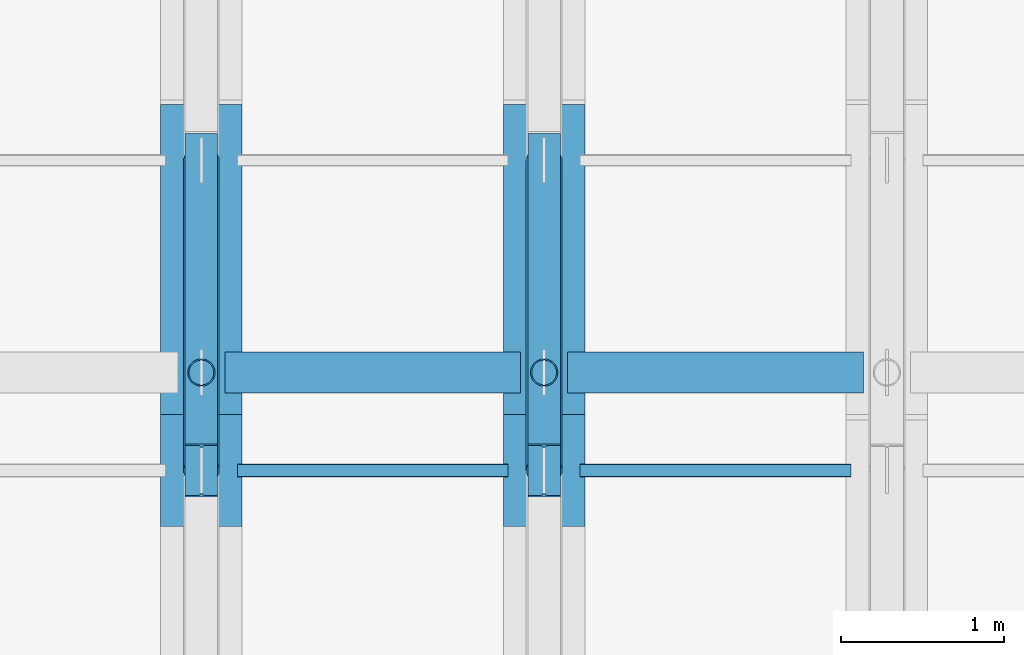
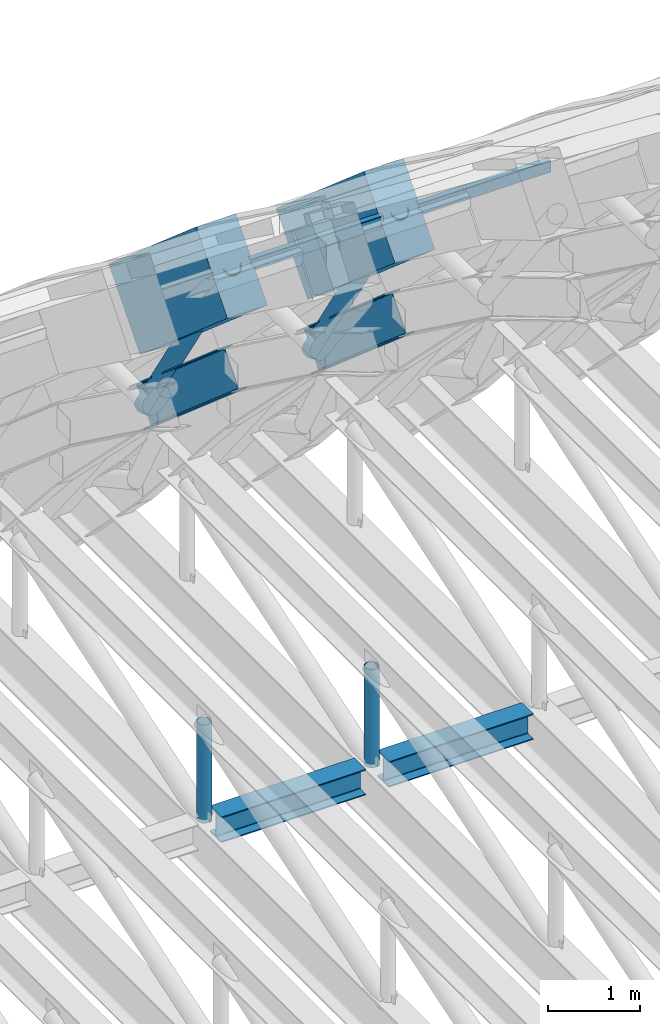
# One storey, part 31 of 67: 6 beams, 6 members.
"""IFC4 building model written with IfcOpenShell, lengths in metres."""

from ifc_helpers import new_model, si_unit, direction, frame, origin, origin_2d, place, context, subcontext, project, spatial, rectangle, hollow_rectangle, hollow_circle, i_section, extrude, material, material_profile, profile_set, type_object, element, save


model = new_model("IFC4")

# Units and contexts
model_context = context("Model", 3, precision=1e-05, world=origin(), true_north=direction((0.0, 1.0)))
body_context = subcontext(model_context, "Body", "Model", "MODEL_VIEW")
ifc_project = project(units=[si_unit("LENGTHUNIT", "METRE"), si_unit("AREAUNIT", "SQUARE_METRE"), si_unit("VOLUMEUNIT", "CUBIC_METRE"), si_unit("PLANEANGLEUNIT", "RADIAN"), si_unit("MASSUNIT", "GRAM", prefix="KILO")], contexts=[model_context])

# Site, building, storey
site_placement = place(None, origin())
site = spatial("IfcSite", under=ifc_project, at=site_placement, CompositionType="ELEMENT")
building_placement = place(site_placement, origin())
building = spatial("IfcBuilding", under=site, at=building_placement, Name="Shengluoqiao Park Theatre", CompositionType="ELEMENT")
storey_placement = place(building_placement, frame((0.0, 0.0, 28.60009765625)))
storey = spatial("IfcBuildingStorey", under=building, at=storey_placement, Name="Roof", CompositionType="ELEMENT", Elevation=28.60009765625)

# Beams
ifc_material_1 = material(Name="Concrete C50", Category="concrete")
ifc_material_profile_1 = material_profile(ifc_material_1, rectangle(XDim=0.5, YDim=1.050048828125, at=origin_2d()), Name="RC ARCH 500x1050")
ifc_profile_set_1 = profile_set([ifc_material_profile_1], Name="Concrete C50")
beam_type_1 = type_object("IfcBeamType", Name="STR-BM-AR-5010", PredefinedType="BEAM", material=ifc_profile_set_1)
for number, where, z_axis, x_axis, name in (
    (1, (73.800048828125, 106.39990234375, -1.9560546875), (0.0, 0.757433195517, -0.652912669757), (-1.0, 0.0, 0.0), "Barrel-Shell Arch Rib R15-S17"),
    (2, (75.89990234375, 106.39990234375, -1.9560546875), (0.0, 0.757433195517, -0.652912669757), (-1.0, 0.0, 0.0), "Barrel-Shell Arch Rib R16-S17"),
):
    element("IfcBeam", number, at=place(storey_placement, frame(where, z_axis=z_axis, x_axis=x_axis)), inside=storey, type_object=beam_type_1, Name=name, PredefinedType="BEAM", context=body_context, shape_type="SweptSolid", body=[
        extrude(rectangle(XDim=0.5, YDim=1.050048828125, at=origin_2d()), origin(), (0.0, 0.0, 1.0), 2.508544921875),
    ])
ifc_material_2 = material(Name="Steel Q355", Category="steel")
ifc_material_profile_2 = material_profile(ifc_material_2, i_section(OverallWidth=0.25, OverallDepth=0.340087890625, WebThickness=0.009033203125, FlangeThickness=0.013916015625, FilletRadius=0.01611328125, at=origin_2d()), Name="HM 340x250x9x14")
ifc_profile_set_2 = profile_set([ifc_material_profile_2], Name="Steel Q355")
beam_type_2 = type_object("IfcBeamType", Name="STR-BM-G-HM340", PredefinedType="BEAM", material=ifc_profile_set_2)
for number, where, z_axis, x_axis, name in (
    (3, (73.944091796875, 107.0, -9.77001953125), (1.0, 0.0, 0.0), (0.0, 1.0, 0.0), "Auditorium Overhead Catwalk Girder R15-5"),
    (4, (76.0439453125, 107.0, -9.77001953125), (1.0, 0.0, 0.0), (0.0, 1.0, 0.0), "Auditorium Overhead Catwalk Girder R16-5"),
):
    element("IfcBeam", number, at=place(storey_placement, frame(where, z_axis=z_axis, x_axis=x_axis)), inside=storey, type_object=beam_type_2, Name=name, PredefinedType="BEAM", context=body_context, shape_type="SweptSolid", body=[
        extrude(i_section(OverallWidth=0.25, OverallDepth=0.340087890625, WebThickness=0.009033203125, FlangeThickness=0.013916015625, FilletRadius=0.01611328125, at=origin_2d()), origin(), (0.0, 0.0, 1.0), 1.81201171875),
    ])
ifc_material_profile_3 = material_profile(ifc_material_2, i_section(OverallWidth=0.199951171875, OverallDepth=0.5, WebThickness=0.010009765625, FlangeThickness=0.01611328125, FilletRadius=0.01806640625, at=origin_2d()), Name="HN 500x200x10x16")
ifc_profile_set_3 = profile_set([ifc_material_profile_3], Name="Steel Q355")
beam_type_3 = type_object("IfcBeamType", Name="STR-BM-J-HN500", PredefinedType="JOIST", material=ifc_profile_set_3)
for number, where, z_axis, x_axis, name in (
    (5, (73.800048828125, 106.39990234375, -3.316162109375), (0.0, 0.757433195517, -0.652912669757), (-1.0, 0.0, 0.0), "Barrel-Shell Lower Arch Chord R15-S17"),
    (6, (75.89990234375, 106.39990234375, -3.316162109375), (0.0, 0.757433195517, -0.652912669757), (-1.0, 0.0, 0.0), "Barrel-Shell Lower Arch Chord R16-S17"),
):
    element("IfcBeam", number, at=place(storey_placement, frame(where, z_axis=z_axis, x_axis=x_axis)), inside=storey, type_object=beam_type_3, Name=name, PredefinedType="JOIST", context=body_context, shape_type="SweptSolid", body=[
        extrude(i_section(OverallWidth=0.199951171875, OverallDepth=0.5, WebThickness=0.010009765625, FlangeThickness=0.01611328125, FilletRadius=0.01806640625, at=origin_2d()), origin(), (0.0, 0.0, 1.0), 2.508544921875),
    ])

# Members
ifc_material_profile_4 = material_profile(ifc_material_2, hollow_circle(Radius=0.109619140625, WallThickness=0.010009765625, at=origin_2d()), Name="CHS 219x10")
ifc_profile_set_4 = profile_set([ifc_material_profile_4], Name="Steel Q355")
member_type_1 = type_object("IfcMemberType", Name="STR-MEM-BRC-219", PredefinedType="BRACE", material=ifc_profile_set_4)
for number, where, z_axis, x_axis, name in (
    (7, (73.800048828125, 106.39990234375, -1.9560546875), (0.0, 0.535330234694, -0.844642847494), (-1.0, 0.0, 0.0), "Barrel-Shell Arch Truss Web 0297"),
    (8, (75.89990234375, 106.39990234375, -1.9560546875), (0.0, 0.535330234694, -0.844642847494), (-1.0, 0.0, 0.0), "Barrel-Shell Arch Truss Web 0317"),
):
    element("IfcMember", number, at=place(storey_placement, frame(where, z_axis=z_axis, x_axis=x_axis)), inside=storey, type_object=member_type_1, Name=name, PredefinedType="BRACE", context=body_context, shape_type="SweptSolid", body=[
        extrude(hollow_circle(Radius=0.109619140625, WallThickness=0.010009765625, at=origin_2d()), origin(), (0.0, 0.0, 1.0), 3.549560546875),
    ])
ifc_material_profile_5 = material_profile(ifc_material_2, hollow_rectangle(XDim=0.080078125, YDim=0.159912109375, WallThickness=0.006103515625, InnerFilletRadius=0.006103515625, OuterFilletRadius=0.011962890625, at=origin_2d()), Name="RHS 160x80x6")
ifc_profile_set_5 = profile_set([ifc_material_profile_5], Name="Steel Q355")
member_type_2 = type_object("IfcMemberType", Name="STR-MEM-PU-R160", PredefinedType="PURLIN", material=ifc_profile_set_5)
for number, where, z_axis, x_axis, name in (
    (9, (74.02001953125, 106.39990234375, -2.006103515625), (1.0, 0.0, 0.0), (0.0, 1.0, 0.0), "Shell Longitudinal Purlin 0282"),
    (10, (76.1201171875, 106.39990234375, -2.006103515625), (1.0, 0.0, 0.0), (0.0, 1.0, 0.0), "Shell Longitudinal Purlin 0301"),
):
    element("IfcMember", number, at=place(storey_placement, frame(where, z_axis=z_axis, x_axis=x_axis)), inside=storey, type_object=member_type_2, Name=name, PredefinedType="PURLIN", context=body_context, shape_type="SweptSolid", body=[
        extrude(hollow_rectangle(XDim=0.080078125, YDim=0.159912109375, WallThickness=0.006103515625, InnerFilletRadius=0.006103515625, OuterFilletRadius=0.011962890625, at=origin_2d()), origin(), (0.0, 0.0, 1.0), 1.659912109375),
    ])
ifc_material_profile_6 = material_profile(ifc_material_2, hollow_circle(Radius=0.083984375, WallThickness=0.008056640625, at=origin_2d()), Name="CHS 168x8")
ifc_profile_set_6 = profile_set([ifc_material_profile_6], Name="Steel Q355")
member_type_3 = type_object("IfcMemberType", Name="STR-MEM-STC-168", PredefinedType="STRUT", material=ifc_profile_set_6)
for number, where, z_axis, x_axis, name in (
    (11, (73.800048828125, 107.0, -9.650146484375), (0.0, 0.0, 1.0), (1.0, 0.0, 0.0), "Acoustic Tie Truss Strut 0093"),
    (12, (75.89990234375, 107.0, -9.650146484375), (0.0, 0.0, 1.0), (1.0, 0.0, 0.0), "Acoustic Tie Truss Strut 0110"),
):
    element("IfcMember", number, at=place(storey_placement, frame(where, z_axis=z_axis, x_axis=x_axis)), inside=storey, type_object=member_type_3, Name=name, PredefinedType="STRUT", context=body_context, shape_type="SweptSolid", body=[
        extrude(hollow_circle(Radius=0.083984375, WallThickness=0.008056640625, at=origin_2d()), origin(), (0.0, 0.0, 1.0), 1.300048828125),
    ])

save(model, "model.ifc")
